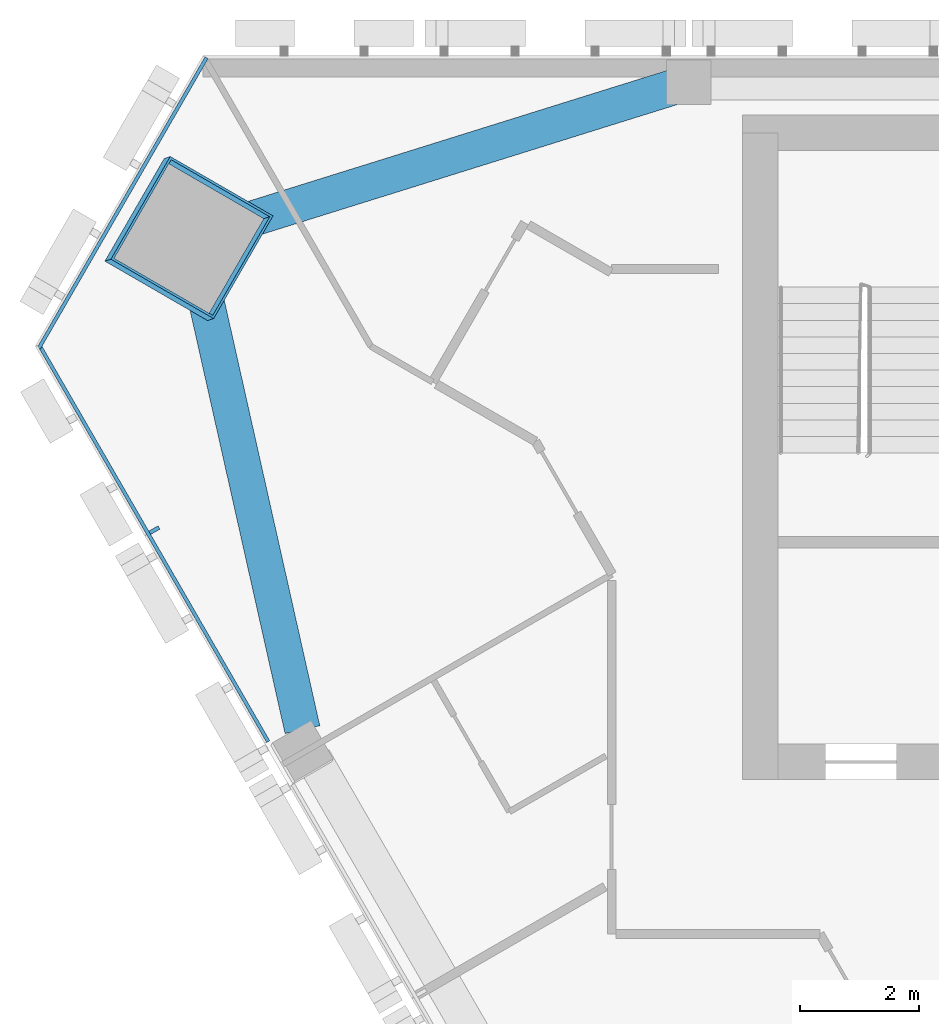
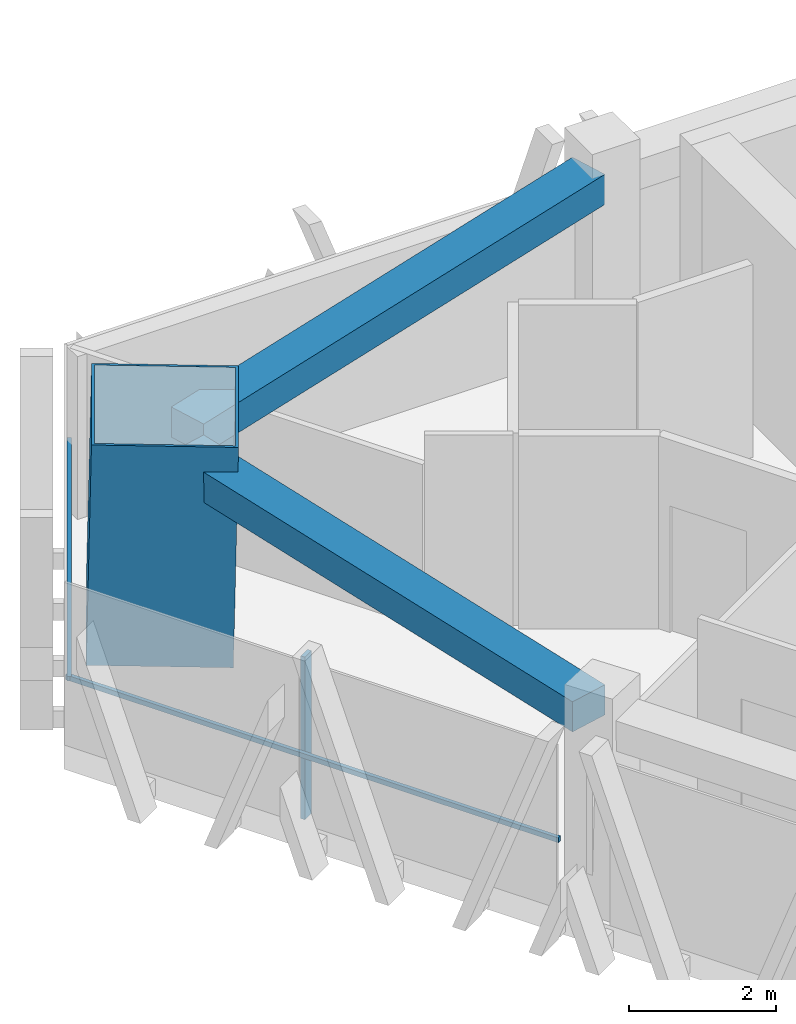
# One storey, part 5 of 14: 4 members, 2 beams, 2 elements without a shape of their own.
"""IFC4 building model written with IfcOpenShell, lengths in metres."""

from ifc_helpers import new_model, si_unit, direction, frame, origin, origin_2d, place, context, subcontext, project, spatial, rectangle, hollow_rectangle, extrude, material, layer, layer_set, material_profile, profile_set, type_object, element, aggregate, save


model = new_model("IFC4")

# Units and contexts
model_context = context("Model", 3, precision=1e-05, world=origin(), true_north=direction((0.0, 1.0)))
body_context = subcontext(model_context, "Body", "Model", "MODEL_VIEW")
ifc_project = project(units=[si_unit("LENGTHUNIT", "METRE"), si_unit("AREAUNIT", "SQUARE_METRE"), si_unit("VOLUMEUNIT", "CUBIC_METRE"), si_unit("PLANEANGLEUNIT", "RADIAN"), si_unit("MASSUNIT", "GRAM", prefix="KILO")], contexts=[model_context])

# Site, building, storey
site_placement = place(None, origin())
site = spatial("IfcSite", under=ifc_project, at=site_placement, CompositionType="ELEMENT")
building_placement = place(site_placement, origin())
building = spatial("IfcBuilding", under=site, at=building_placement, Name="Altiplano Prism Tower", CompositionType="ELEMENT")
storey_placement = place(building_placement, frame((0.0, 0.0, 230.199951171875)))
storey = spatial("IfcBuildingStorey", under=building, at=storey_placement, Name="L59", CompositionType="ELEMENT", Elevation=230.199951171875)

# Curtain wall, member
ifc_material_1 = material(Name="Aluminium and glass", Category="aluminium")
ifc_layer = layer(ifc_material_1, 0.280029296875)
ifc_layer_set = layer_set([ifc_layer], Name="Aluminium and glass")
curtain_wall_type = type_object("IfcCurtainWallType", Name="CW1 typical co-living unitised curtain wall", PredefinedType="NOTDEFINED", material=ifc_layer_set)
curtain_wall_1_placement = place(storey_placement, origin())
curtain_wall_1 = element("IfcCurtainWall", 1, at=curtain_wall_1_placement, inside=storey, type_object=curtain_wall_type, Name="CW1 curtain wall south-west face L59", PredefinedType="NOTDEFINED")
ifc_material_2 = material(Name="Aluminium", Category="aluminium")
ifc_material_profile_1 = material_profile(ifc_material_2, rectangle(XDim=0.179931640625, YDim=0.06494140625, at=origin_2d()), Name="CW1 mullion 65 x 180")
ifc_profile_set_1 = profile_set([ifc_material_profile_1], Name="Aluminium")
member_type_1 = type_object("IfcMemberType", Name="CW1 mullion 65 x 180", PredefinedType="MULLION", material=ifc_profile_set_1)
member_1_placement = place(storey_placement, frame((62.492919921875, 97.003662109375, 0.0), z_axis=(0.0, 0.0, 1.0), x_axis=(0.866025400599, 0.500000005517, 0.0)))
member_1 = element("IfcMember", 2, at=member_1_placement, type_object=member_type_1, Name="CW1 mullion", PredefinedType="MULLION", context=body_context, shape_type="SweptSolid", body=[
    extrude(rectangle(XDim=0.179931640625, YDim=0.06494140625, at=origin_2d()), origin(), (0.0, 0.0, 1.0), 2.699951171875),
])

curtain_wall_2_placement = place(storey_placement, origin())
curtain_wall_2 = element("IfcCurtainWall", 3, at=curtain_wall_2_placement, inside=storey, type_object=curtain_wall_type, Name="CW1 curtain wall north-west chamfer L59", PredefinedType="NOTDEFINED")
ifc_material_profile_2 = material_profile(ifc_material_2, rectangle(XDim=0.06005859375, YDim=0.080078125, at=origin_2d()), Name="CW1 transom 80 x 60")
ifc_profile_set_2 = profile_set([ifc_material_profile_2], Name="Aluminium")
member_type_2 = type_object("IfcMemberType", Name="CW1 transom 80 x 60", PredefinedType="USERDEFINED", material=ifc_profile_set_2)
member_2_placement = place(storey_placement, frame((63.373046875, 104.965087890625, 1.10009765625), z_axis=(-0.500006439447, -0.866021685936, 0.0), x_axis=(0.866021685936, -0.500006439447, 0.0)))
member_2 = element("IfcMember", 4, at=member_2_placement, type_object=member_type_2, Name="CW1 transom", ObjectType="TRANSOM", PredefinedType="USERDEFINED", context=body_context, shape_type="SweptSolid", body=[
    extrude(rectangle(XDim=0.06005859375, YDim=0.080078125, at=origin_2d()), origin(), (0.0, 0.0, 1.0), 5.65576171875),
])
aggregate(curtain_wall_2, [member_2])

# Member
member_3_placement = place(storey_placement, frame((60.545166015625, 100.13720703125, 1.10009765625), z_axis=(0.500016687369, -0.866015769113, 0.0), x_axis=(0.866015769113, 0.500016687369, 0.0)))
member_3 = element("IfcMember", 5, at=member_3_placement, type_object=member_type_2, Name="CW1 transom", ObjectType="TRANSOM", PredefinedType="USERDEFINED", context=body_context, shape_type="SweptSolid", body=[
    extrude(rectangle(XDim=0.06005859375, YDim=0.080078125, at=origin_2d()), origin(), (0.0, 0.0, 1.0), 7.733154296875),
])

aggregate(curtain_wall_1, [member_1, member_3])

# Beams
ifc_material_3 = material(Name="Concrete C60/75", Category="concrete")
ifc_material_profile_3 = material_profile(ifc_material_3, rectangle(XDim=0.60009765625, YDim=0.5, at=origin_2d()), Name="Edge beam 600x500")
ifc_profile_set_3 = profile_set([ifc_material_profile_3], Name="Concrete C60/75")
beam_type = type_object("IfcBeamType", Name="Edge beam 600x500", PredefinedType="SPANDREL", material=ifc_profile_set_3)
for number, where, z_axis, x_axis, name in (
    (6, (71.239501953125, 104.46875, 2.949951171875), (-0.954511813579, -0.298173100292, 0.0), (0.298173100292, -0.954511813579, 0.0), "Edge beam P04-M0 L60"),
    (7, (63.22509765625, 101.495361328125, 2.949951171875), (0.219043056558, -0.97571519378, 0.0), (0.97571519378, 0.219043056558, 0.0), "Edge beam M0-P11 L60"),
):
    element("IfcBeam", number, at=place(storey_placement, frame(where, z_axis=z_axis, x_axis=x_axis)), inside=storey, type_object=beam_type, Name=name, PredefinedType="SPANDREL", context=body_context, shape_type="SweptSolid", body=[
        extrude(rectangle(XDim=0.60009765625, YDim=0.5, at=origin_2d()), origin(), (0.0, 0.0, 1.0), 8.049560546875),
    ])

# Member
ifc_material_4 = material(Name="Steel S460", Category="steel")
ifc_material_profile_4 = material_profile(ifc_material_4, hollow_rectangle(XDim=2.0, YDim=2.0, WallThickness=0.0400390625, at=origin_2d()), Name="Mega column tube 2000")
ifc_profile_set_4 = profile_set([ifc_material_profile_4], Name="Steel S460")
member_type_3 = type_object("IfcMemberType", Name="Mega column tube 2000", PredefinedType="POST", material=ifc_profile_set_4)
member_4_placement = place(storey_placement, frame((63.0244140625, 101.901123046875, 0.0), z_axis=(0.028334084323, 0.009218745139, 0.999555998633), x_axis=(-0.865471577165, 0.500561960989, 0.019916634515)))
element("IfcMember", 8, at=member_4_placement, inside=storey, type_object=member_type_3, Name="Mega column tube M0 L59", PredefinedType="POST", context=body_context, shape_type="SweptSolid", body=[
    extrude(hollow_rectangle(XDim=2.0, YDim=2.0, WallThickness=0.0400390625, at=origin_2d()), origin(), (0.0, 0.0, 1.0), 3.601806640625),
])

save(model, "model.ifc")
